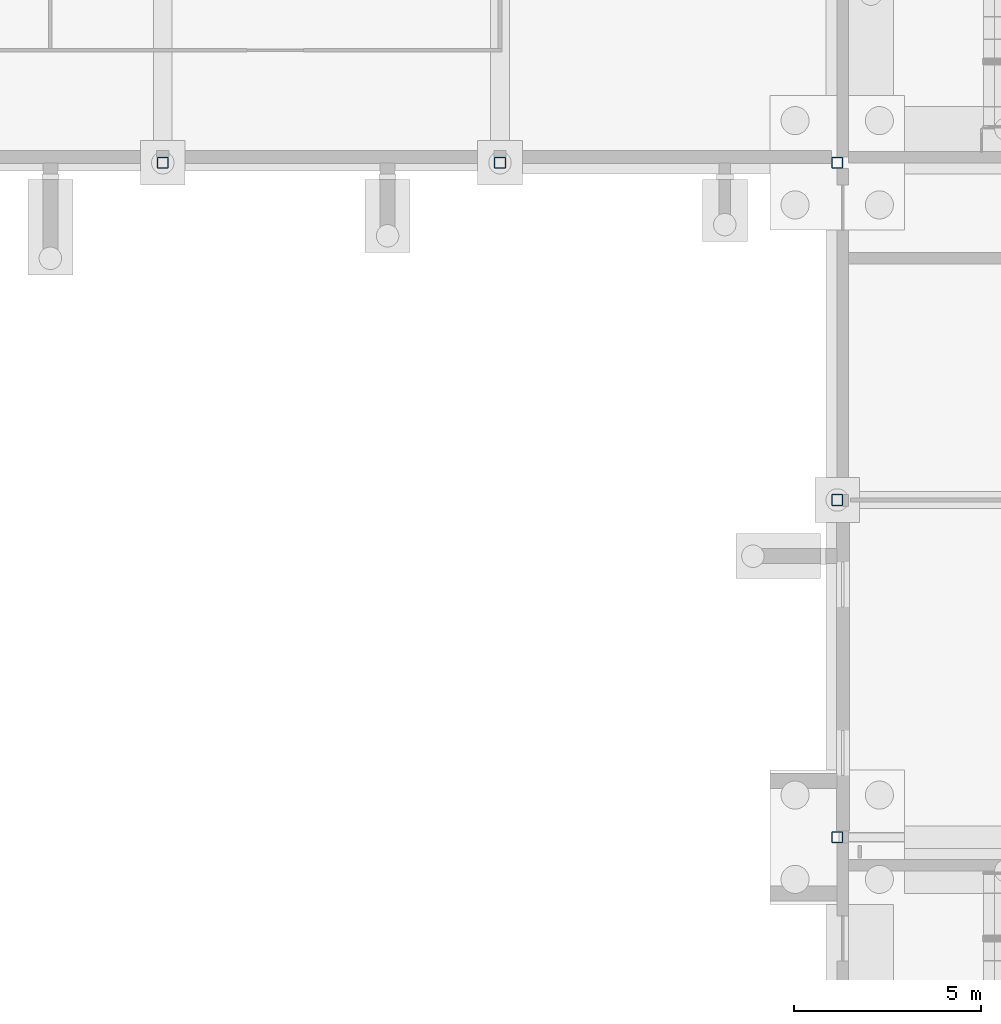
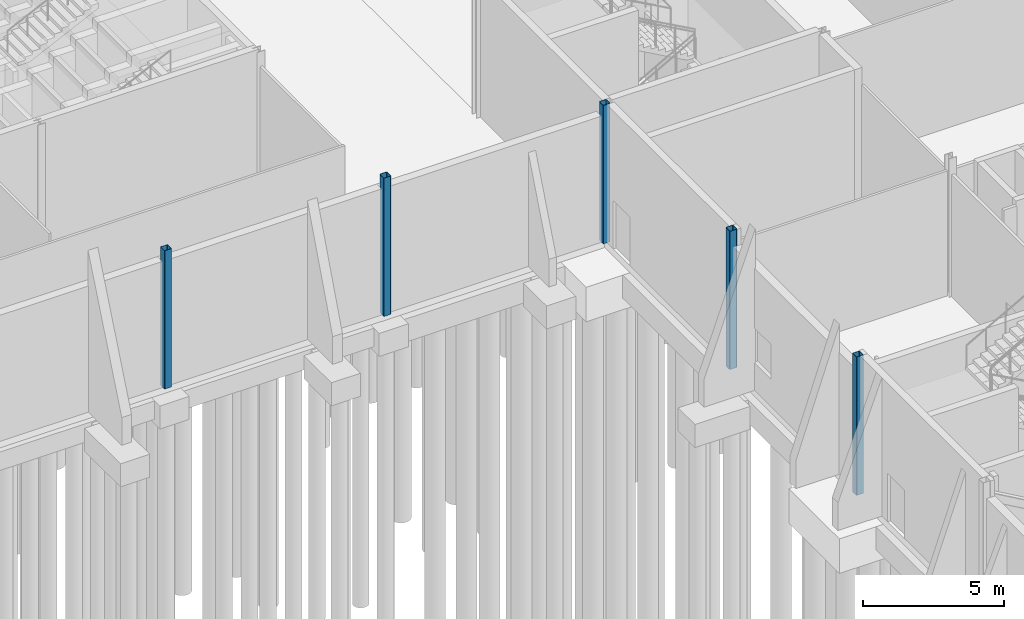
# One storey, part 18 of 139: 5 columns.
"""IFC4 building model written with IfcOpenShell, lengths in metres."""

from ifc_helpers import new_model, si_unit, direction, frame, origin, origin_2d, place, context, subcontext, project, spatial, hollow_rectangle, extrude, material, material_profile, profile_set, type_object, element, save


model = new_model("IFC4")

# Units and contexts
model_context = context("Model", 3, precision=1e-05, world=origin(), true_north=direction((0.0, 1.0)))
body_context = subcontext(model_context, "Body", "Model", "MODEL_VIEW")
ifc_project = project(units=[si_unit("LENGTHUNIT", "METRE"), si_unit("AREAUNIT", "SQUARE_METRE"), si_unit("VOLUMEUNIT", "CUBIC_METRE"), si_unit("PLANEANGLEUNIT", "RADIAN"), si_unit("MASSUNIT", "GRAM", prefix="KILO")], contexts=[model_context])

# Site, building, storey
site_placement = place(None, origin())
site = spatial("IfcSite", under=ifc_project, at=site_placement, CompositionType="ELEMENT")
building_placement = place(site_placement, origin())
building = spatial("IfcBuilding", under=site, at=building_placement, Name="Shorebreak Coast Museum", CompositionType="ELEMENT")
storey_placement = place(building_placement, origin())
storey = spatial("IfcBuildingStorey", under=building, at=storey_placement, Name="L00", CompositionType="ELEMENT", Elevation=0.0)

# Columns
ifc_material = material(Name="Steel Grade C450L0", Category="steel")
ifc_material_profile = material_profile(ifc_material, hollow_rectangle(XDim=0.300048828125, YDim=0.300048828125, WallThickness=0.012451171875, InnerFilletRadius=0.018798828125, OuterFilletRadius=0.03125, at=origin_2d()), Name="300x300x12.5 SHS")
ifc_profile_set = profile_set([ifc_material_profile], Name="Steel Grade C450L0")
column_type = type_object("IfcColumnType", Name="Column 300x300x12.5 SHS", PredefinedType="COLUMN", material=ifc_profile_set)
for number, where, z_axis, x_axis, name in (
    (1, (54.0, 36.0, 0.0), (0.0, 0.0, 1.0), (1.0, 0.0, 0.0), "Column L00 7E"),
    (2, (54.0, 45.0, 0.0), (0.0, 0.0, 1.0), (1.0, 0.0, 0.0), "Column L00 7F"),
    (3, (36.0, 54.0, 0.0), (0.0, 0.0, 1.0), (1.0, 0.0, 0.0), "Column L00 5G"),
    (4, (45.0, 54.0, 0.0), (0.0, 0.0, 1.0), (1.0, 0.0, 0.0), "Column L00 6G"),
    (5, (54.0, 54.0, 0.0), (0.0, 0.0, 1.0), (1.0, 0.0, 0.0), "Column L00 7G"),
):
    element("IfcColumn", number, at=place(storey_placement, frame(where, z_axis=z_axis, x_axis=x_axis)), inside=storey, type_object=column_type, Name=name, PredefinedType="COLUMN", context=body_context, shape_type="SweptSolid", body=[
        extrude(hollow_rectangle(XDim=0.300048828125, YDim=0.300048828125, WallThickness=0.012451171875, InnerFilletRadius=0.018798828125, OuterFilletRadius=0.03125, at=origin_2d()), origin(), (0.0, 0.0, 1.0), 6.0),
    ])

save(model, "model.ifc")
